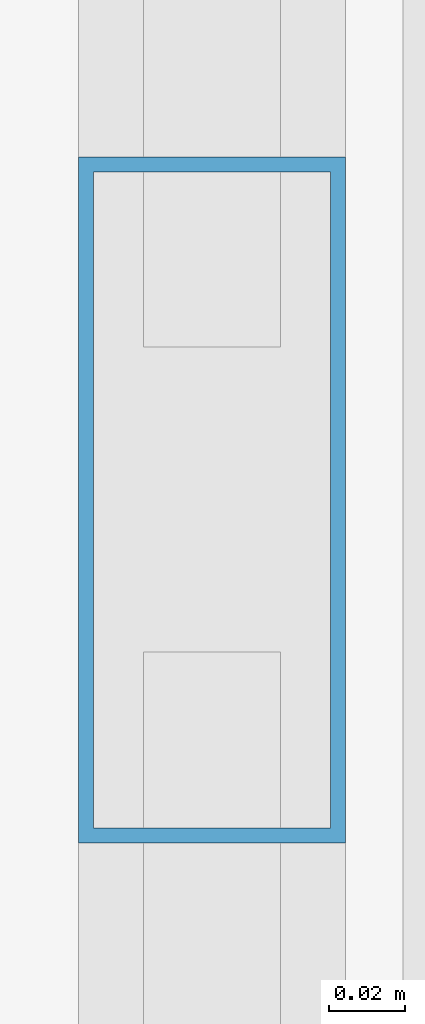
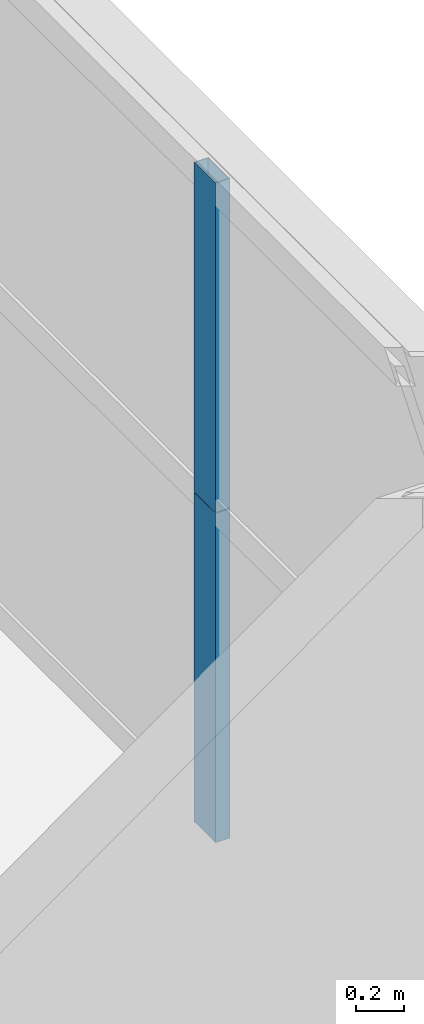
# One storey, part 30 of 41: 2 members, 1 element without a shape of its own.
"""IFC4 building model written with IfcOpenShell, lengths in metres."""

from ifc_helpers import new_model, si_unit, direction, frame, origin, origin_2d, place, context, subcontext, project, spatial, hollow_rectangle, extrude, source, transform, mapped, material, layer, layer_set, material_profile, profile_set, type_object, element, aggregate, save


model = new_model("IFC4")

# Units and contexts
model_context = context("Model", 3, precision=1e-05, world=origin(), true_north=direction((0.0, 1.0)))
body_context = subcontext(model_context, "Body", "Model", "MODEL_VIEW")
ifc_project = project(units=[si_unit("LENGTHUNIT", "METRE"), si_unit("AREAUNIT", "SQUARE_METRE"), si_unit("VOLUMEUNIT", "CUBIC_METRE"), si_unit("PLANEANGLEUNIT", "RADIAN"), si_unit("MASSUNIT", "GRAM", prefix="KILO"), si_unit("THERMODYNAMICTEMPERATUREUNIT", "KELVIN"), si_unit("POWERUNIT", "WATT")], contexts=[model_context])

# Site, building, storey
site_placement = place(None, origin())
site = spatial("IfcSite", under=ifc_project, at=site_placement, CompositionType="ELEMENT")
building_placement = place(site_placement, origin())
building = spatial("IfcBuilding", under=site, at=building_placement, Name="Yuzanri Waterfront Tower", CompositionType="ELEMENT")
storey_placement = place(building_placement, frame((0.0, 0.0, 115.39990234375)))
storey = spatial("IfcBuildingStorey", under=building, at=storey_placement, Name="L30", CompositionType="ELEMENT", Elevation=115.39990234375)

# Curtain wall, members
ifc_material_1 = material(Name="Anodized Architectural Bronze", Category="metal")
ifc_layer = layer(ifc_material_1, 0.159912109375)
ifc_layer_set = layer_set([ifc_layer], Name="Anodized Architectural Bronze")
curtain_wall_type = type_object("IfcCurtainWallType", Name="Anodized Bronze Hotel Upper-Tier Solar-Control Unitized Curtain Wall 7800", PredefinedType="NOTDEFINED", material=ifc_layer_set)
curtain_wall_placement = place(storey_placement, origin())
curtain_wall = element("IfcCurtainWall", 1, at=curtain_wall_placement, inside=storey, type_object=curtain_wall_type, Name="L30 Curtain Wall CW-L30-ER", PredefinedType="NOTDEFINED")
ifc_material_2 = material(Name="Anodized Architectural Bronze", Category="metal")
ifc_material_profile = material_profile(ifc_material_2, hollow_rectangle(XDim=0.070068359375, YDim=0.179931640625, WallThickness=0.00390625, at=origin_2d()), Name="CWM 70x180")
ifc_profile_set = profile_set([ifc_material_profile], Name="Anodized Architectural Bronze")
member_type = type_object("IfcMemberType", Name="Anodized Bronze Standard Curtain-Wall Mullion 70x180", PredefinedType="MULLION", material=ifc_profile_set)
shared_shape = source(origin(), body_context, "Body", "SweptSolid", [
    extrude(hollow_rectangle(XDim=0.070068359375, YDim=0.179931640625, WallThickness=0.00390625, at=origin_2d()), origin(), (0.0, 0.0, 1.0), 1.68798828125),
])
member_1_placement = place(storey_placement, frame((60.449951171875, 34.14990234375, 0.0), z_axis=(0.0, 0.0, 1.0), x_axis=(1.0, 0.0, 0.0)))
member_1 = element("IfcMember", 2, at=member_1_placement, type_object=member_type, Name="CW-L30-ER Lower Mullion 01", PredefinedType="MULLION", context=body_context, shape_type="MappedRepresentation", body=[
    mapped(shared_shape, transform((0.0, 0.0, 0.0), scale=1.0)),
])
member_2_placement = place(storey_placement, frame((60.449951171875, 34.14990234375, 1.692138671875), z_axis=(0.0, 0.0, 1.0), x_axis=(1.0, 0.0, 0.0)))
member_2 = element("IfcMember", 3, at=member_2_placement, type_object=member_type, Name="CW-L30-ER Upper Mullion 01", PredefinedType="MULLION", context=body_context, shape_type="MappedRepresentation", body=[
    mapped(shared_shape, transform((0.0, 0.0, 0.0), scale=1.0)),
])
aggregate(curtain_wall, [member_1, member_2])

save(model, "model.ifc")
